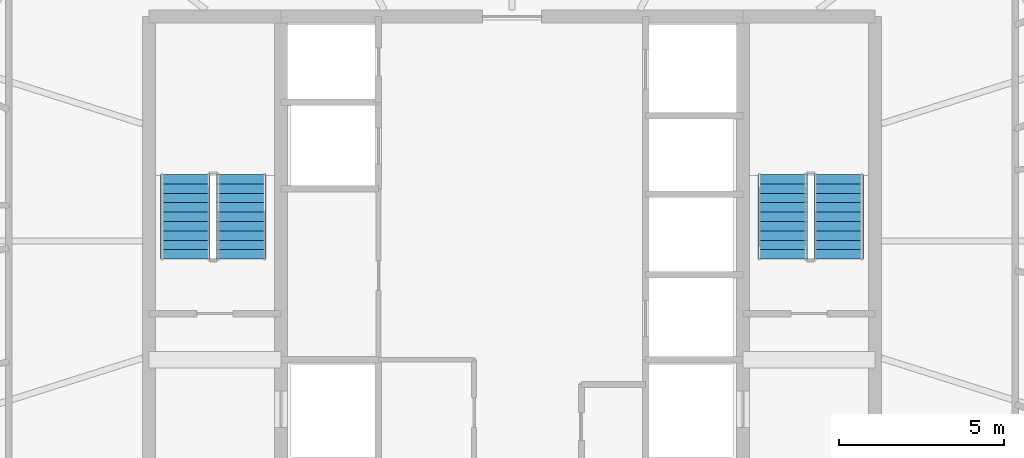
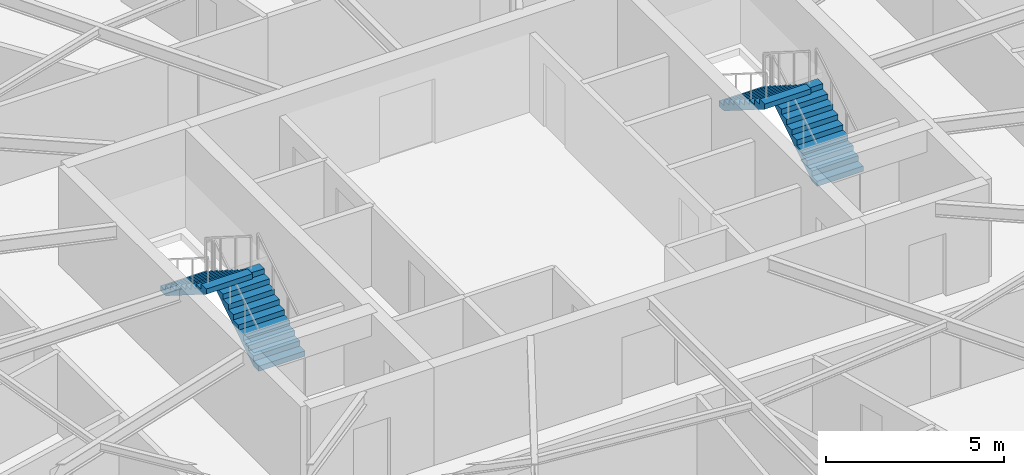
# One storey, part 19 of 22: 4 stair flights, 2 elements without a shape of their own.
"""IFC4 building model written with IfcOpenShell, lengths in metres."""

from ifc_helpers import new_model, si_unit, direction, frame, origin, place, context, subcontext, project, spatial, polyline, outline, extrude, material, type_object, element, aggregate, save


model = new_model("IFC4")

# Units and contexts
model_context = context("Model", 3, precision=1e-05, world=origin(), true_north=direction((0.0, 1.0)))
body_context = subcontext(model_context, "Body", "Model", "MODEL_VIEW")
ifc_project = project(units=[si_unit("LENGTHUNIT", "METRE"), si_unit("AREAUNIT", "SQUARE_METRE"), si_unit("VOLUMEUNIT", "CUBIC_METRE"), si_unit("PLANEANGLEUNIT", "RADIAN"), si_unit("MASSUNIT", "GRAM", prefix="KILO")], contexts=[model_context])

# Site, building, storey
site_placement = place(None, origin())
site = spatial("IfcSite", under=ifc_project, at=site_placement, CompositionType="ELEMENT")
building_placement = place(site_placement, origin())
building = spatial("IfcBuilding", under=site, at=building_placement, Name="Sarneth Arch Tower", CompositionType="ELEMENT")
storey_placement = place(building_placement, frame((0.0, 0.0, 213.60009765625)))
storey = spatial("IfcBuildingStorey", under=building, at=storey_placement, Name="L54", CompositionType="ELEMENT", Elevation=213.60009765625)

# Stair, stair flights
ifc_material_1 = material(Name="Concrete C50/60", Category="concrete")
stair_type = type_object("IfcStairType", Name="STAIR-CORE-RC", PredefinedType="HALF_TURN_STAIR", material=ifc_material_1)
stair_1_placement = place(storey_placement, origin())
stair_1 = element("IfcStair", 1, at=stair_1_placement, inside=storey, type_object=stair_type, Name="L54 Core Exit Stair 1", PredefinedType="HALF_TURN_STAIR")
ifc_material_2 = material(Name="Concrete C50/60", Category="concrete")
stair_flight_type = type_object("IfcStairFlightType", Name="FLIGHT-RC-1500", PredefinedType="STRAIGHT", material=ifc_material_2)
stair_flight_1_placement = place(storey_placement, frame((39.800048828125, 41.449951171875, 0.0), z_axis=(0.0, 0.0, 1.0), x_axis=(0.0, 1.0, 0.0)))
stair_flight_1 = element("IfcStairFlight", 2, at=stair_flight_1_placement, type_object=stair_flight_type, Name="ST-1 flight 1", NumberOfRisers=10, NumberOfTreads=9, PredefinedType="STRAIGHT", RiserHeight=0.18, TreadLength=0.285, context=body_context, shape_type="SweptSolid", body=[
    extrude(outline(polyline([(0.0, 0.0), (0.0, 0.179931640625), (0.284912109375, 0.179931640625), (0.284912109375, 0.360107421875), (0.570068359375, 0.360107421875), (0.570068359375, 0.5400390625), (0.85498046875, 0.5400390625), (0.85498046875, 0.719970703125), (1.139892578125, 0.719970703125), (1.139892578125, 0.89990234375), (1.425048828125, 0.89990234375), (1.425048828125, 1.080078125), (1.7099609375, 1.080078125), (1.7099609375, 1.260009765625), (1.9951171875, 1.260009765625), (1.9951171875, 1.43994140625), (2.280029296875, 1.43994140625), (2.280029296875, 1.6201171875), (2.56494140625, 1.6201171875), (2.56494140625, 1.800048828125), (2.56494140625, 1.442626953125), (0.28076171875, 0.0), (0.0, 0.0)])), frame((0.0, 0.75, 0.0), z_axis=(0.0, -1.0, 0.0), x_axis=(1.0, 0.0, 0.0)), (0.0, 0.0, 1.0), 1.5),
])
stair_flight_2_placement = place(storey_placement, frame((38.10009765625, 44.014892578125, 1.7998046875), z_axis=(0.0, 0.0, 1.0), x_axis=(0.0, -1.0, 0.0)))
stair_flight_2 = element("IfcStairFlight", 3, at=stair_flight_2_placement, type_object=stair_flight_type, Name="ST-1 flight 2", NumberOfRisers=10, NumberOfTreads=9, PredefinedType="STRAIGHT", RiserHeight=0.18, TreadLength=0.285, context=body_context, shape_type="SweptSolid", body=[
    extrude(outline(polyline([(0.0, 0.0), (0.0, 0.179931640625), (0.284912109375, 0.179931640625), (0.284912109375, 0.360107421875), (0.570068359375, 0.360107421875), (0.570068359375, 0.5400390625), (0.85498046875, 0.5400390625), (0.85498046875, 0.719970703125), (1.139892578125, 0.719970703125), (1.139892578125, 0.89990234375), (1.425048828125, 0.89990234375), (1.425048828125, 1.080078125), (1.7099609375, 1.080078125), (1.7099609375, 1.260009765625), (1.9951171875, 1.260009765625), (1.9951171875, 1.43994140625), (2.280029296875, 1.43994140625), (2.280029296875, 1.6201171875), (2.56494140625, 1.6201171875), (2.56494140625, 1.800048828125), (2.56494140625, 1.442626953125), (0.28076171875, 0.0), (0.0, 0.0)])), frame((0.0, 0.75, 0.0), z_axis=(0.0, -1.0, 0.0), x_axis=(1.0, 0.0, 0.0)), (0.0, 0.0, 1.0), 1.5),
])
aggregate(stair_1, [stair_flight_1, stair_flight_2])

stair_2_placement = place(storey_placement, origin())
stair_2 = element("IfcStair", 4, at=stair_2_placement, inside=storey, type_object=stair_type, Name="L54 Core Exit Stair 2", PredefinedType="HALF_TURN_STAIR")
stair_flight_3_placement = place(storey_placement, frame((57.89990234375, 41.449951171875, 0.0), z_axis=(0.0, 0.0, 1.0), x_axis=(0.0, 1.0, 0.0)))
stair_flight_3 = element("IfcStairFlight", 5, at=stair_flight_3_placement, type_object=stair_flight_type, Name="ST-2 flight 1", NumberOfRisers=10, NumberOfTreads=9, PredefinedType="STRAIGHT", RiserHeight=0.18, TreadLength=0.285, context=body_context, shape_type="SweptSolid", body=[
    extrude(outline(polyline([(0.0, 0.0), (0.0, 0.179931640625), (0.284912109375, 0.179931640625), (0.284912109375, 0.360107421875), (0.570068359375, 0.360107421875), (0.570068359375, 0.5400390625), (0.85498046875, 0.5400390625), (0.85498046875, 0.719970703125), (1.139892578125, 0.719970703125), (1.139892578125, 0.89990234375), (1.425048828125, 0.89990234375), (1.425048828125, 1.080078125), (1.7099609375, 1.080078125), (1.7099609375, 1.260009765625), (1.9951171875, 1.260009765625), (1.9951171875, 1.43994140625), (2.280029296875, 1.43994140625), (2.280029296875, 1.6201171875), (2.56494140625, 1.6201171875), (2.56494140625, 1.800048828125), (2.56494140625, 1.442626953125), (0.28076171875, 0.0), (0.0, 0.0)])), frame((0.0, 0.75, 0.0), z_axis=(0.0, -1.0, 0.0), x_axis=(1.0, 0.0, 0.0)), (0.0, 0.0, 1.0), 1.5),
])
stair_flight_4_placement = place(storey_placement, frame((56.199951171875, 44.014892578125, 1.7998046875), z_axis=(0.0, 0.0, 1.0), x_axis=(0.0, -1.0, 0.0)))
stair_flight_4 = element("IfcStairFlight", 6, at=stair_flight_4_placement, type_object=stair_flight_type, Name="ST-2 flight 2", NumberOfRisers=10, NumberOfTreads=9, PredefinedType="STRAIGHT", RiserHeight=0.18, TreadLength=0.285, context=body_context, shape_type="SweptSolid", body=[
    extrude(outline(polyline([(0.0, 0.0), (0.0, 0.179931640625), (0.284912109375, 0.179931640625), (0.284912109375, 0.360107421875), (0.570068359375, 0.360107421875), (0.570068359375, 0.5400390625), (0.85498046875, 0.5400390625), (0.85498046875, 0.719970703125), (1.139892578125, 0.719970703125), (1.139892578125, 0.89990234375), (1.425048828125, 0.89990234375), (1.425048828125, 1.080078125), (1.7099609375, 1.080078125), (1.7099609375, 1.260009765625), (1.9951171875, 1.260009765625), (1.9951171875, 1.43994140625), (2.280029296875, 1.43994140625), (2.280029296875, 1.6201171875), (2.56494140625, 1.6201171875), (2.56494140625, 1.800048828125), (2.56494140625, 1.442626953125), (0.28076171875, 0.0), (0.0, 0.0)])), frame((0.0, 0.75, 0.0), z_axis=(0.0, -1.0, 0.0), x_axis=(1.0, 0.0, 0.0)), (0.0, 0.0, 1.0), 1.5),
])
aggregate(stair_2, [stair_flight_3, stair_flight_4])

save(model, "model.ifc")
